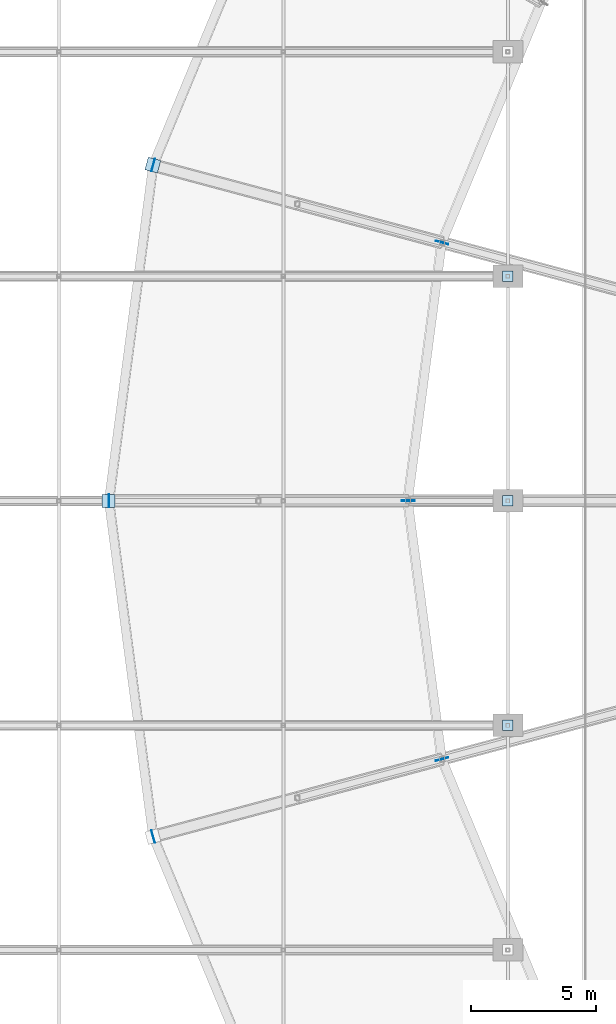
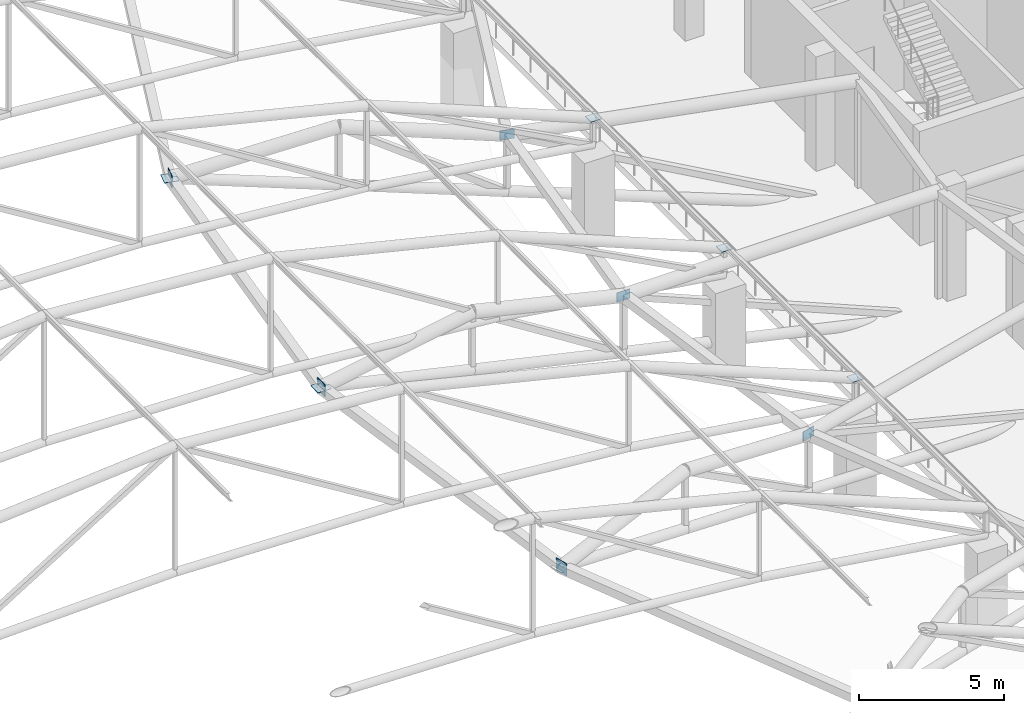
# One storey, part 129 of 167: 11 plates.
"""IFC4 building model written with IfcOpenShell, lengths in metres."""

from ifc_helpers import new_model, si_unit, direction, frame, origin, origin_2d, place, context, subcontext, project, spatial, rectangle, extrude, material, layer, layer_set, type_object, element, save


model = new_model("IFC4")

# Units and contexts
model_context = context("Model", 3, precision=1e-05, world=origin(), true_north=direction((0.0, 1.0)))
body_context = subcontext(model_context, "Body", "Model", "MODEL_VIEW")
ifc_project = project(units=[si_unit("LENGTHUNIT", "METRE"), si_unit("AREAUNIT", "SQUARE_METRE"), si_unit("VOLUMEUNIT", "CUBIC_METRE"), si_unit("PLANEANGLEUNIT", "RADIAN"), si_unit("MASSUNIT", "GRAM", prefix="KILO")], contexts=[model_context])

# Site, building, storey
site_placement = place(None, origin())
site = spatial("IfcSite", under=ifc_project, at=site_placement, CompositionType="ELEMENT")
building_placement = place(site_placement, origin())
building = spatial("IfcBuilding", under=site, at=building_placement, Name="Dornveld Trade and Exhibition Forum", CompositionType="ELEMENT")
storey_placement = place(building_placement, frame((0.0, 0.0, 16.800048828125)))
storey = spatial("IfcBuildingStorey", under=building, at=storey_placement, Name="L03", CompositionType="ELEMENT", Elevation=16.800048828125)

# Plates
ifc_material_1 = material(Name="Steel S355J2", Category="steel")
ifc_layer_1 = layer(ifc_material_1, 0.01611328125)
ifc_layer_set_1 = layer_set([ifc_layer_1], Name="Steel S355J2")
plate_type_1 = type_object("IfcPlateType", Name="PL-CAP-420x16", PredefinedType="SHEET", material=ifc_layer_set_1)
for number, where, z_axis, x_axis, name in (
    (1, (81.0, 72.0, 5.0419921875), (0.0, 0.0, 1.0), (1.0, 0.0, 0.0), "H3 truss 5 hollow end cap 2"),
    (2, (81.0, 81.0, 5.0419921875), (0.0, 0.0, 1.0), (1.0, 0.0, 0.0), "H3 truss 6 hollow end cap 2"),
    (3, (81.0, 90.0, 5.0419921875), (0.0, 0.0, 1.0), (1.0, 0.0, 0.0), "H3 truss 7 hollow end cap 2"),
):
    element("IfcPlate", number, at=place(storey_placement, frame(where, z_axis=z_axis, x_axis=x_axis)), inside=storey, type_object=plate_type_1, Name=name, PredefinedType="SHEET", context=body_context, shape_type="SweptSolid", body=[
        extrude(rectangle(XDim=0.419921875, YDim=0.419921875, at=origin_2d()), origin(), (0.0, 0.0, 1.0), 0.01611328125),
    ])
ifc_material_2 = material(Name="Steel S355J2", Category="steel")
ifc_layer_2 = layer(ifc_material_2, 0.02001953125)
ifc_layer_set_2 = layer_set([ifc_layer_2], Name="Steel S355J2")
plate_type_2 = type_object("IfcPlateType", Name="PL-CAP-520x20", PredefinedType="SHEET", material=ifc_layer_set_2)
for number, where, z_axis, x_axis, name in (
    (4, (66.77197265625, 94.45849609375, 4.7900390625), (0.0, 0.0, 1.0), (-0.965925826289, 0.258819045103, 0.0), "Floating disc tip closure plate 12"),
    (5, (65.0, 81.0, 4.7900390625), (0.0, 0.0, 1.0), (-1.0, 0.0, 0.0), "Floating disc tip closure plate 13"),
):
    element("IfcPlate", number, at=place(storey_placement, frame(where, z_axis=z_axis, x_axis=x_axis)), inside=storey, type_object=plate_type_2, Name=name, PredefinedType="SHEET", context=body_context, shape_type="SweptSolid", body=[
        extrude(rectangle(XDim=0.52001953125, YDim=0.52001953125, at=origin_2d()), origin(), (0.0, 0.0, 1.0), 0.02001953125),
    ])
for number, where, z_axis, x_axis, name in (
    (6, (66.781982421875, 94.4560546875, 4.5400390625), (0.0, 0.0, 1.0), (-0.965925826289, 0.258819045103, 0.0), "Floating roof disc radial tip cap plate 12"),
    (7, (65.010009765625, 81.0, 4.5400390625), (0.0, 0.0, 1.0), (-1.0, 0.0, 0.0), "Floating roof disc radial tip cap plate 13"),
    (8, (66.781982421875, 67.5439453125, 4.5400390625), (0.0, 0.0, 1.0), (-0.965925826289, -0.258819045103, 0.0), "Floating roof disc radial tip cap plate 14"),
):
    element("IfcPlate", number, at=place(storey_placement, frame(where, z_axis=z_axis, x_axis=x_axis)), inside=storey, type_object=plate_type_2, Name=name, PredefinedType="SHEET", context=body_context, shape_type="SweptSolid", body=[
        extrude(rectangle(XDim=0.02001953125, YDim=0.52001953125, at=origin_2d()), origin(), (0.0, 0.0, 1.0), 0.52001953125),
    ])
ifc_material_3 = material(Name="Steel S355J2", Category="steel")
ifc_layer_3 = layer(ifc_material_3, 0.02197265625)
ifc_layer_set_3 = layer_set([ifc_layer_3], Name="Steel S355J2")
plate_type_3 = type_object("IfcPlateType", Name="PL-NODE-04", PredefinedType="USERDEFINED", material=ifc_layer_set_3)
plate_1_placement = place(storey_placement, frame((78.363037109375, 91.352783203125, 4.25), z_axis=(0.0, 0.0, 1.0), x_axis=(-0.965925826289, 0.258819045103, 0.0)))
element("IfcPlate", 9, at=plate_1_placement, inside=storey, type_object=plate_type_3, Name="Floating disc core-ring gusset 12", ObjectType="GUSSET", PredefinedType="USERDEFINED", context=body_context, shape_type="SweptSolid", body=[
    extrude(rectangle(XDim=0.52001953125, YDim=0.028076171875, at=origin_2d()), origin(), (0.0, 0.0, 1.0), 0.39990234375),
])
ifc_material_4 = material(Name="Steel S355J2", Category="steel")
ifc_layer_4 = layer(ifc_material_4, 0.02001953125)
ifc_layer_set_4 = layer_set([ifc_layer_4], Name="Steel S355J2")
plate_type_4 = type_object("IfcPlateType", Name="PL-NODE-05", PredefinedType="USERDEFINED", material=ifc_layer_set_4)
plate_2_placement = place(storey_placement, frame((77.0, 81.0, 4.25), z_axis=(0.0, 0.0, 1.0), x_axis=(-1.0, 0.0, 0.0)))
element("IfcPlate", 10, at=plate_2_placement, inside=storey, type_object=plate_type_4, Name="Floating disc core-ring gusset 13", ObjectType="GUSSET", PredefinedType="USERDEFINED", context=body_context, shape_type="SweptSolid", body=[
    extrude(rectangle(XDim=0.52001953125, YDim=0.028076171875, at=origin_2d()), origin(), (0.0, 0.0, 1.0), 0.39990234375),
])
ifc_material_5 = material(Name="Steel S355J2", Category="steel")
ifc_layer_5 = layer(ifc_material_5, 0.01806640625)
ifc_layer_set_5 = layer_set([ifc_layer_5], Name="Steel S355J2")
plate_type_5 = type_object("IfcPlateType", Name="PL-NODE-06", PredefinedType="USERDEFINED", material=ifc_layer_set_5)
plate_3_placement = place(storey_placement, frame((78.363037109375, 70.647216796875, 4.25), z_axis=(0.0, 0.0, 1.0), x_axis=(-0.965925826289, -0.258819045103, 0.0)))
element("IfcPlate", 11, at=plate_3_placement, inside=storey, type_object=plate_type_5, Name="Floating disc core-ring gusset 14", ObjectType="GUSSET", PredefinedType="USERDEFINED", context=body_context, shape_type="SweptSolid", body=[
    extrude(rectangle(XDim=0.52001953125, YDim=0.028076171875, at=origin_2d()), origin(), (0.0, 0.0, 1.0), 0.39990234375),
])

save(model, "model.ifc")
